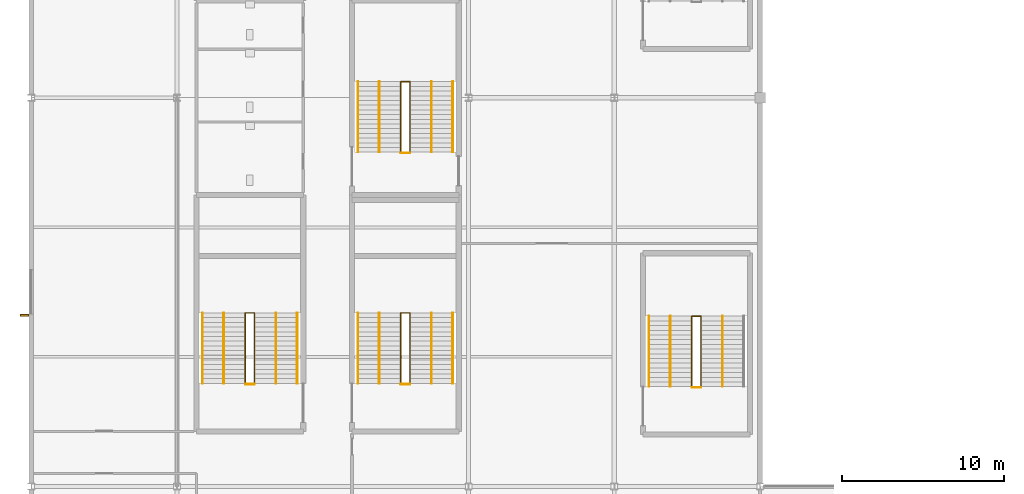
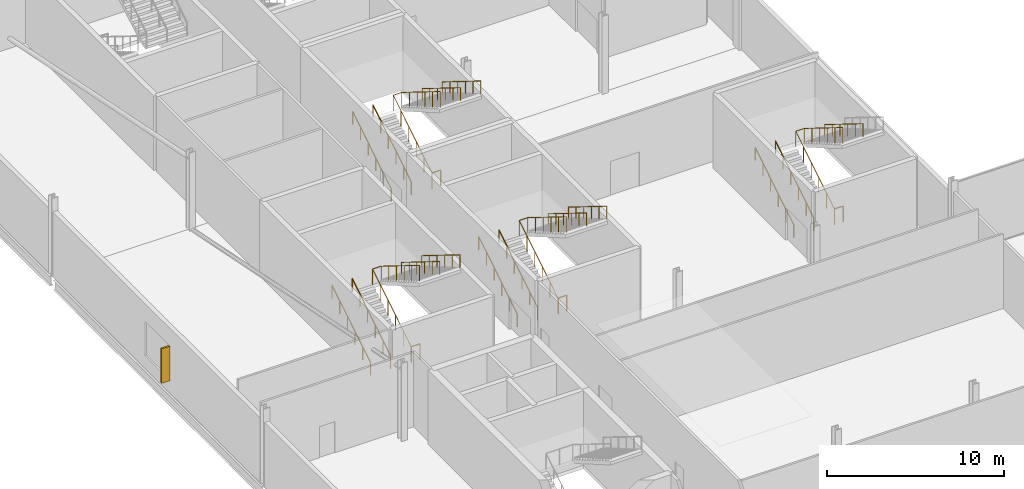
# One storey, part 98 of 111: 23 railings, 1 shading device.
"""IFC4 building model written with IfcOpenShell, lengths in metres."""

from ifc_helpers import new_model, si_unit, direction, frame, origin, origin_2d, place, context, subcontext, project, spatial, rectangle, circle, extrude, material, type_object, element, save


model = new_model("IFC4")

# Units and contexts
model_context = context("Model", 3, precision=1e-05, world=origin(), true_north=direction((0.0, 1.0)))
body_context = subcontext(model_context, "Body", "Model", "MODEL_VIEW")
ifc_project = project(units=[si_unit("LENGTHUNIT", "METRE"), si_unit("AREAUNIT", "SQUARE_METRE"), si_unit("VOLUMEUNIT", "CUBIC_METRE"), si_unit("PLANEANGLEUNIT", "RADIAN"), si_unit("MASSUNIT", "GRAM", prefix="KILO")], contexts=[model_context])

# Site, building, storey
site_placement = place(None, origin())
site = spatial("IfcSite", under=ifc_project, at=site_placement, CompositionType="ELEMENT")
building_placement = place(site_placement, origin())
building = spatial("IfcBuilding", under=site, at=building_placement, Name="Kisiwana Market Hall", CompositionType="ELEMENT")
storey_placement = place(building_placement, frame((0.0, 0.0, 11.39990234375)))
storey = spatial("IfcBuildingStorey", under=building, at=storey_placement, Name="L02", CompositionType="ELEMENT", Elevation=11.39990234375)

# Railings
ifc_material_1 = material(Name="Steel S275", Category="steel")
railing_type_1 = type_object("IfcRailingType", Name="RL-GUARD-1100", PredefinedType="GUARDRAIL", material=ifc_material_1)
railing_1_placement = place(storey_placement, frame((13.219970703125, 42.360107421875, 0.0)))
element("IfcRailing", 1, at=railing_1_placement, inside=storey, type_object=railing_type_1, Name="Stair ST-W3-L02 inner-well guardrail (RL-507)", PredefinedType="GUARDRAIL", context=body_context, shape_type="SweptSolid", body=[
    extrude(circle(Radius=0.02392578125, at=origin_2d()), frame((0.0, 0.0, 1.076171875), z_axis=(0.0, 0.849615114927, 0.52740322002), x_axis=(-1.0, 0.0, 0.0)), (0.0, 0.0, 1.0), 5.119873046875),
    extrude(circle(Radius=0.02392578125, at=origin_2d()), frame((0.0, 4.349853515625, 3.7763671875), z_axis=(1.0, 0.0, 0.0), x_axis=(0.0, 1.0, 0.0)), (0.0, 0.0, 1.0), 0.56005859375),
    extrude(circle(Radius=0.02392578125, at=origin_2d()), frame((0.56005859375, 4.349853515625, 3.7763671875), z_axis=(0.0, -0.849636482215, 0.527368797038), x_axis=(1.0, 0.0, 0.0)), (0.0, 0.0, 1.0), 5.11962890625),
    extrude(circle(Radius=0.02099609375, at=origin_2d()), origin(), (0.0, 0.0, 1.0), 1.052001953125),
    extrude(circle(Radius=0.02099609375, at=origin_2d()), frame((0.0, 0.869873046875, 0.5400390625)), (0.0, 0.0, 1.0), 1.052001953125),
    extrude(circle(Radius=0.02099609375, at=origin_2d()), frame((0.0, 1.739990234375, 1.080078125)), (0.0, 0.0, 1.0), 1.052001953125),
    extrude(circle(Radius=0.02099609375, at=origin_2d()), frame((0.0, 2.60986328125, 1.6201171875)), (0.0, 0.0, 1.0), 1.052001953125),
    extrude(circle(Radius=0.02099609375, at=origin_2d()), frame((0.0, 3.47998046875, 2.16015625)), (0.0, 0.0, 1.0), 1.052001953125),
    extrude(circle(Radius=0.02099609375, at=origin_2d()), frame((0.0, 4.349853515625, 2.7001953125)), (0.0, 0.0, 1.0), 1.052001953125),
    extrude(circle(Radius=0.02099609375, at=origin_2d()), frame((0.56005859375, 4.349853515625, 2.7001953125)), (0.0, 0.0, 1.0), 1.052001953125),
    extrude(circle(Radius=0.02099609375, at=origin_2d()), frame((0.56005859375, 3.47998046875, 3.240234375)), (0.0, 0.0, 1.0), 1.052001953125),
    extrude(circle(Radius=0.02099609375, at=origin_2d()), frame((0.56005859375, 2.60986328125, 3.7802734375)), (0.0, 0.0, 1.0), 1.052001953125),
    extrude(circle(Radius=0.02099609375, at=origin_2d()), frame((0.56005859375, 1.739990234375, 4.320068359375)), (0.0, 0.0, 1.0), 1.052001953125),
    extrude(circle(Radius=0.02099609375, at=origin_2d()), frame((0.56005859375, 0.869873046875, 4.860107421875)), (0.0, 0.0, 1.0), 1.052001953125),
    extrude(circle(Radius=0.02099609375, at=origin_2d()), frame((0.56005859375, 0.0, 5.400146484375)), (0.0, 0.0, 1.0), 1.052001953125),
])
railing_2_placement = place(storey_placement, frame((13.219970703125, 42.31005859375, 0.0)))
element("IfcRailing", 2, at=railing_2_placement, inside=storey, type_object=railing_type_1, Name="Stair ST-W3-L02 landing edge guardrail (RL-512)", PredefinedType="GUARDRAIL", context=body_context, shape_type="SweptSolid", body=[
    extrude(circle(Radius=0.02392578125, at=origin_2d()), frame((0.0, 0.0, 1.076171875), z_axis=(1.0, 0.0, 0.0), x_axis=(0.0, 1.0, 0.0)), (0.0, 0.0, 1.0), 0.56005859375),
    extrude(circle(Radius=0.02099609375, at=origin_2d()), origin(), (0.0, 0.0, 1.0), 1.052001953125),
    extrude(circle(Radius=0.02099609375, at=origin_2d()), frame((0.56005859375, 0.0, 0.0)), (0.0, 0.0, 1.0), 1.052001953125),
])
railing_3_placement = place(storey_placement, frame((22.820068359375, 42.360107421875, 0.0)))
element("IfcRailing", 3, at=railing_3_placement, inside=storey, type_object=railing_type_1, Name="Stair ST-W7-L02 inner-well guardrail (RL-531)", PredefinedType="GUARDRAIL", context=body_context, shape_type="SweptSolid", body=[
    extrude(circle(Radius=0.02392578125, at=origin_2d()), frame((0.0, 0.0, 1.076171875), z_axis=(0.0, 0.849615114927, 0.52740322002), x_axis=(-1.0, 0.0, 0.0)), (0.0, 0.0, 1.0), 5.119873046875),
    extrude(circle(Radius=0.02392578125, at=origin_2d()), frame((0.0, 4.349853515625, 3.7763671875), z_axis=(1.0, 0.0, 0.0), x_axis=(0.0, 1.0, 0.0)), (0.0, 0.0, 1.0), 0.559814453125),
    extrude(circle(Radius=0.02392578125, at=origin_2d()), frame((0.559814453125, 4.349853515625, 3.7763671875), z_axis=(0.0, -0.849636482215, 0.527368797038), x_axis=(1.0, 0.0, 0.0)), (0.0, 0.0, 1.0), 5.11962890625),
    extrude(circle(Radius=0.02099609375, at=origin_2d()), origin(), (0.0, 0.0, 1.0), 1.052001953125),
    extrude(circle(Radius=0.02099609375, at=origin_2d()), frame((0.0, 0.869873046875, 0.5400390625)), (0.0, 0.0, 1.0), 1.052001953125),
    extrude(circle(Radius=0.02099609375, at=origin_2d()), frame((0.0, 1.739990234375, 1.080078125)), (0.0, 0.0, 1.0), 1.052001953125),
    extrude(circle(Radius=0.02099609375, at=origin_2d()), frame((0.0, 2.60986328125, 1.6201171875)), (0.0, 0.0, 1.0), 1.052001953125),
    extrude(circle(Radius=0.02099609375, at=origin_2d()), frame((0.0, 3.47998046875, 2.16015625)), (0.0, 0.0, 1.0), 1.052001953125),
    extrude(circle(Radius=0.02099609375, at=origin_2d()), frame((0.0, 4.349853515625, 2.7001953125)), (0.0, 0.0, 1.0), 1.052001953125),
    extrude(circle(Radius=0.02099609375, at=origin_2d()), frame((0.559814453125, 4.349853515625, 2.7001953125)), (0.0, 0.0, 1.0), 1.052001953125),
    extrude(circle(Radius=0.02099609375, at=origin_2d()), frame((0.559814453125, 3.47998046875, 3.240234375)), (0.0, 0.0, 1.0), 1.052001953125),
    extrude(circle(Radius=0.02099609375, at=origin_2d()), frame((0.559814453125, 2.60986328125, 3.7802734375)), (0.0, 0.0, 1.0), 1.052001953125),
    extrude(circle(Radius=0.02099609375, at=origin_2d()), frame((0.559814453125, 1.739990234375, 4.320068359375)), (0.0, 0.0, 1.0), 1.052001953125),
    extrude(circle(Radius=0.02099609375, at=origin_2d()), frame((0.559814453125, 0.869873046875, 4.860107421875)), (0.0, 0.0, 1.0), 1.052001953125),
    extrude(circle(Radius=0.02099609375, at=origin_2d()), frame((0.559814453125, 0.0, 5.400146484375)), (0.0, 0.0, 1.0), 1.052001953125),
])
railing_4_placement = place(storey_placement, frame((22.820068359375, 42.31005859375, 0.0)))
element("IfcRailing", 4, at=railing_4_placement, inside=storey, type_object=railing_type_1, Name="Stair ST-W7-L02 landing edge guardrail (RL-536)", PredefinedType="GUARDRAIL", context=body_context, shape_type="SweptSolid", body=[
    extrude(circle(Radius=0.02392578125, at=origin_2d()), frame((0.0, 0.0, 1.076171875), z_axis=(1.0, 0.0, 0.0), x_axis=(0.0, 1.0, 0.0)), (0.0, 0.0, 1.0), 0.559814453125),
    extrude(circle(Radius=0.02099609375, at=origin_2d()), origin(), (0.0, 0.0, 1.0), 1.052001953125),
    extrude(circle(Radius=0.02099609375, at=origin_2d()), frame((0.559814453125, 0.0, 0.0)), (0.0, 0.0, 1.0), 1.052001953125),
])
railing_5_placement = place(storey_placement, frame((40.7900390625, 42.159912109375, 0.0)))
element("IfcRailing", 5, at=railing_5_placement, inside=storey, type_object=railing_type_1, Name="Stair ST-W9-L02 inner-well guardrail (RL-555)", PredefinedType="GUARDRAIL", context=body_context, shape_type="SweptSolid", body=[
    extrude(circle(Radius=0.02392578125, at=origin_2d()), frame((0.0, 0.0, 1.076171875), z_axis=(0.0, 0.849628378081, 0.527381853271), x_axis=(-1.0, 0.0, 0.0)), (0.0, 0.0, 1.0), 5.1201171875),
    extrude(circle(Radius=0.02392578125, at=origin_2d()), frame((0.0, 4.35009765625, 3.7763671875), z_axis=(1.0, 0.0, 0.0), x_axis=(0.0, 1.0, 0.0)), (0.0, 0.0, 1.0), 0.56005859375),
    extrude(circle(Radius=0.02392578125, at=origin_2d()), frame((0.56005859375, 4.35009765625, 3.7763671875), z_axis=(0.0, -0.849649743971, 0.527347430608), x_axis=(1.0, 0.0, 0.0)), (0.0, 0.0, 1.0), 5.119873046875),
    extrude(circle(Radius=0.02099609375, at=origin_2d()), origin(), (0.0, 0.0, 1.0), 1.052001953125),
    extrude(circle(Radius=0.02099609375, at=origin_2d()), frame((0.0, 0.8701171875, 0.5400390625)), (0.0, 0.0, 1.0), 1.052001953125),
    extrude(circle(Radius=0.02099609375, at=origin_2d()), frame((0.0, 1.739990234375, 1.080078125)), (0.0, 0.0, 1.0), 1.052001953125),
    extrude(circle(Radius=0.02099609375, at=origin_2d()), frame((0.0, 2.610107421875, 1.6201171875)), (0.0, 0.0, 1.0), 1.052001953125),
    extrude(circle(Radius=0.02099609375, at=origin_2d()), frame((0.0, 3.47998046875, 2.16015625)), (0.0, 0.0, 1.0), 1.052001953125),
    extrude(circle(Radius=0.02099609375, at=origin_2d()), frame((0.0, 4.35009765625, 2.7001953125)), (0.0, 0.0, 1.0), 1.052001953125),
    extrude(circle(Radius=0.02099609375, at=origin_2d()), frame((0.56005859375, 4.35009765625, 2.7001953125)), (0.0, 0.0, 1.0), 1.052001953125),
    extrude(circle(Radius=0.02099609375, at=origin_2d()), frame((0.56005859375, 3.47998046875, 3.240234375)), (0.0, 0.0, 1.0), 1.052001953125),
    extrude(circle(Radius=0.02099609375, at=origin_2d()), frame((0.56005859375, 2.610107421875, 3.7802734375)), (0.0, 0.0, 1.0), 1.052001953125),
    extrude(circle(Radius=0.02099609375, at=origin_2d()), frame((0.56005859375, 1.739990234375, 4.320068359375)), (0.0, 0.0, 1.0), 1.052001953125),
    extrude(circle(Radius=0.02099609375, at=origin_2d()), frame((0.56005859375, 0.8701171875, 4.860107421875)), (0.0, 0.0, 1.0), 1.052001953125),
    extrude(circle(Radius=0.02099609375, at=origin_2d()), frame((0.56005859375, 0.0, 5.400146484375)), (0.0, 0.0, 1.0), 1.052001953125),
])
railing_6_placement = place(storey_placement, frame((40.7900390625, 42.110107421875, 0.0)))
element("IfcRailing", 6, at=railing_6_placement, inside=storey, type_object=railing_type_1, Name="Stair ST-W9-L02 landing edge guardrail (RL-560)", PredefinedType="GUARDRAIL", context=body_context, shape_type="SweptSolid", body=[
    extrude(circle(Radius=0.02392578125, at=origin_2d()), frame((0.0, 0.0, 1.076171875), z_axis=(1.0, 0.0, 0.0), x_axis=(0.0, 1.0, 0.0)), (0.0, 0.0, 1.0), 0.56005859375),
    extrude(circle(Radius=0.02099609375, at=origin_2d()), origin(), (0.0, 0.0, 1.0), 1.052001953125),
    extrude(circle(Radius=0.02099609375, at=origin_2d()), frame((0.56005859375, 0.0, 0.0)), (0.0, 0.0, 1.0), 1.052001953125),
])
railing_7_placement = place(storey_placement, frame((22.820068359375, 56.639892578125, 0.0)))
element("IfcRailing", 7, at=railing_7_placement, inside=storey, type_object=railing_type_1, Name="Stair ST-W5-L02 inner-well guardrail (RL-579)", PredefinedType="GUARDRAIL", context=body_context, shape_type="SweptSolid", body=[
    extrude(circle(Radius=0.02392578125, at=origin_2d()), frame((0.0, 0.0, 1.076171875), z_axis=(0.0, 0.849628378081, 0.527381853271), x_axis=(-1.0, 0.0, 0.0)), (0.0, 0.0, 1.0), 5.1201171875),
    extrude(circle(Radius=0.02392578125, at=origin_2d()), frame((0.0, 4.35009765625, 3.7763671875), z_axis=(1.0, 0.0, 0.0), x_axis=(0.0, 1.0, 0.0)), (0.0, 0.0, 1.0), 0.559814453125),
    extrude(circle(Radius=0.02392578125, at=origin_2d()), frame((0.559814453125, 4.35009765625, 3.7763671875), z_axis=(0.0, -0.849649743971, 0.527347430608), x_axis=(1.0, 0.0, 0.0)), (0.0, 0.0, 1.0), 5.119873046875),
    extrude(circle(Radius=0.02099609375, at=origin_2d()), origin(), (0.0, 0.0, 1.0), 1.052001953125),
    extrude(circle(Radius=0.02099609375, at=origin_2d()), frame((0.0, 0.8701171875, 0.5400390625)), (0.0, 0.0, 1.0), 1.052001953125),
    extrude(circle(Radius=0.02099609375, at=origin_2d()), frame((0.0, 1.739990234375, 1.080078125)), (0.0, 0.0, 1.0), 1.052001953125),
    extrude(circle(Radius=0.02099609375, at=origin_2d()), frame((0.0, 2.610107421875, 1.6201171875)), (0.0, 0.0, 1.0), 1.052001953125),
    extrude(circle(Radius=0.02099609375, at=origin_2d()), frame((0.0, 3.47998046875, 2.16015625)), (0.0, 0.0, 1.0), 1.052001953125),
    extrude(circle(Radius=0.02099609375, at=origin_2d()), frame((0.0, 4.35009765625, 2.7001953125)), (0.0, 0.0, 1.0), 1.052001953125),
    extrude(circle(Radius=0.02099609375, at=origin_2d()), frame((0.559814453125, 4.35009765625, 2.7001953125)), (0.0, 0.0, 1.0), 1.052001953125),
    extrude(circle(Radius=0.02099609375, at=origin_2d()), frame((0.559814453125, 3.47998046875, 3.240234375)), (0.0, 0.0, 1.0), 1.052001953125),
    extrude(circle(Radius=0.02099609375, at=origin_2d()), frame((0.559814453125, 2.610107421875, 3.7802734375)), (0.0, 0.0, 1.0), 1.052001953125),
    extrude(circle(Radius=0.02099609375, at=origin_2d()), frame((0.559814453125, 1.739990234375, 4.320068359375)), (0.0, 0.0, 1.0), 1.052001953125),
    extrude(circle(Radius=0.02099609375, at=origin_2d()), frame((0.559814453125, 0.8701171875, 4.860107421875)), (0.0, 0.0, 1.0), 1.052001953125),
    extrude(circle(Radius=0.02099609375, at=origin_2d()), frame((0.559814453125, 0.0, 5.400146484375)), (0.0, 0.0, 1.0), 1.052001953125),
])
railing_8_placement = place(storey_placement, frame((22.820068359375, 56.590087890625, 0.0)))
element("IfcRailing", 8, at=railing_8_placement, inside=storey, type_object=railing_type_1, Name="Stair ST-W5-L02 landing edge guardrail (RL-584)", PredefinedType="GUARDRAIL", context=body_context, shape_type="SweptSolid", body=[
    extrude(circle(Radius=0.02392578125, at=origin_2d()), frame((0.0, 0.0, 1.076171875), z_axis=(1.0, 0.0, 0.0), x_axis=(0.0, 1.0, 0.0)), (0.0, 0.0, 1.0), 0.559814453125),
    extrude(circle(Radius=0.02099609375, at=origin_2d()), origin(), (0.0, 0.0, 1.0), 1.052001953125),
    extrude(circle(Radius=0.02099609375, at=origin_2d()), frame((0.559814453125, 0.0, 0.0)), (0.0, 0.0, 1.0), 1.052001953125),
])
ifc_material_2 = material(Name="Steel S275", Category="steel")
railing_type_2 = type_object("IfcRailingType", Name="RL-HAND-900", PredefinedType="HANDRAIL", material=ifc_material_2)
railing_9_placement = place(storey_placement, frame((10.570068359375, 42.360107421875, 0.0)))
element("IfcRailing", 9, at=railing_9_placement, inside=storey, type_object=railing_type_2, Name="Stair ST-W3-L02 flight 1 handrail (RL-508)", PredefinedType="HANDRAIL", context=body_context, shape_type="SweptSolid", body=[
    extrude(circle(Radius=0.02392578125, at=origin_2d()), frame((0.0, 0.0, 0.8759765625), z_axis=(0.0, 0.849615114927, 0.52740322002), x_axis=(-1.0, 0.0, 0.0)), (0.0, 0.0, 1.0), 5.119873046875),
    extrude(circle(Radius=0.02099609375, at=origin_2d()), origin(), (0.0, 0.0, 1.0), 0.851806640625),
    extrude(circle(Radius=0.02099609375, at=origin_2d()), frame((0.0, 0.869873046875, 0.5400390625)), (0.0, 0.0, 1.0), 0.851806640625),
    extrude(circle(Radius=0.02099609375, at=origin_2d()), frame((0.0, 1.739990234375, 1.080078125)), (0.0, 0.0, 1.0), 0.851806640625),
    extrude(circle(Radius=0.02099609375, at=origin_2d()), frame((0.0, 2.60986328125, 1.6201171875)), (0.0, 0.0, 1.0), 0.851806640625),
    extrude(circle(Radius=0.02099609375, at=origin_2d()), frame((0.0, 3.47998046875, 2.16015625)), (0.0, 0.0, 1.0), 0.851806640625),
    extrude(circle(Radius=0.02099609375, at=origin_2d()), frame((0.0, 4.349853515625, 2.7001953125)), (0.0, 0.0, 1.0), 0.851806640625),
])
railing_10_placement = place(storey_placement, frame((16.429931640625, 46.7099609375, 2.7001953125)))
element("IfcRailing", 10, at=railing_10_placement, inside=storey, type_object=railing_type_2, Name="Stair ST-W3-L02 flight 2 handrail (RL-509)", PredefinedType="HANDRAIL", context=body_context, shape_type="SweptSolid", body=[
    extrude(circle(Radius=0.02392578125, at=origin_2d()), frame((0.0, 0.0, 0.8759765625), z_axis=(0.0, -0.849636482215, 0.527368797038), x_axis=(1.0, 0.0, 0.0)), (0.0, 0.0, 1.0), 5.11962890625),
    extrude(circle(Radius=0.02099609375, at=origin_2d()), origin(), (0.0, 0.0, 1.0), 0.851806640625),
    extrude(circle(Radius=0.02099609375, at=origin_2d()), frame((0.0, -0.869873046875, 0.5400390625)), (0.0, 0.0, 1.0), 0.851806640625),
    extrude(circle(Radius=0.02099609375, at=origin_2d()), frame((0.0, -1.739990234375, 1.080078125)), (0.0, 0.0, 1.0), 0.851806640625),
    extrude(circle(Radius=0.02099609375, at=origin_2d()), frame((0.0, -2.60986328125, 1.619873046875)), (0.0, 0.0, 1.0), 0.851806640625),
    extrude(circle(Radius=0.02099609375, at=origin_2d()), frame((0.0, -3.47998046875, 2.159912109375)), (0.0, 0.0, 1.0), 0.851806640625),
    extrude(circle(Radius=0.02099609375, at=origin_2d()), frame((0.0, -4.349853515625, 2.699951171875)), (0.0, 0.0, 1.0), 0.851806640625),
])
railing_11_placement = place(storey_placement, frame((11.889892578125, 42.360107421875, 0.0)))
element("IfcRailing", 11, at=railing_11_placement, inside=storey, type_object=railing_type_2, Name="Stair ST-W3-L02 flight 1 intermediate handrail (RL-510)", PredefinedType="HANDRAIL", context=body_context, shape_type="SweptSolid", body=[
    extrude(circle(Radius=0.02392578125, at=origin_2d()), frame((0.0, 0.0, 0.8759765625), z_axis=(0.0, 0.849615114927, 0.52740322002), x_axis=(-1.0, 0.0, 0.0)), (0.0, 0.0, 1.0), 5.119873046875),
    extrude(circle(Radius=0.02099609375, at=origin_2d()), origin(), (0.0, 0.0, 1.0), 0.851806640625),
    extrude(circle(Radius=0.02099609375, at=origin_2d()), frame((0.0, 0.869873046875, 0.5400390625)), (0.0, 0.0, 1.0), 0.851806640625),
    extrude(circle(Radius=0.02099609375, at=origin_2d()), frame((0.0, 1.739990234375, 1.080078125)), (0.0, 0.0, 1.0), 0.851806640625),
    extrude(circle(Radius=0.02099609375, at=origin_2d()), frame((0.0, 2.60986328125, 1.6201171875)), (0.0, 0.0, 1.0), 0.851806640625),
    extrude(circle(Radius=0.02099609375, at=origin_2d()), frame((0.0, 3.47998046875, 2.16015625)), (0.0, 0.0, 1.0), 0.851806640625),
    extrude(circle(Radius=0.02099609375, at=origin_2d()), frame((0.0, 4.349853515625, 2.7001953125)), (0.0, 0.0, 1.0), 0.851806640625),
])
railing_12_placement = place(storey_placement, frame((15.110107421875, 46.7099609375, 2.7001953125)))
element("IfcRailing", 12, at=railing_12_placement, inside=storey, type_object=railing_type_2, Name="Stair ST-W3-L02 flight 2 intermediate handrail (RL-511)", PredefinedType="HANDRAIL", context=body_context, shape_type="SweptSolid", body=[
    extrude(circle(Radius=0.02392578125, at=origin_2d()), frame((0.0, 0.0, 0.8759765625), z_axis=(0.0, -0.849636482215, 0.527368797038), x_axis=(1.0, 0.0, 0.0)), (0.0, 0.0, 1.0), 5.11962890625),
    extrude(circle(Radius=0.02099609375, at=origin_2d()), origin(), (0.0, 0.0, 1.0), 0.851806640625),
    extrude(circle(Radius=0.02099609375, at=origin_2d()), frame((0.0, -0.869873046875, 0.5400390625)), (0.0, 0.0, 1.0), 0.851806640625),
    extrude(circle(Radius=0.02099609375, at=origin_2d()), frame((0.0, -1.739990234375, 1.080078125)), (0.0, 0.0, 1.0), 0.851806640625),
    extrude(circle(Radius=0.02099609375, at=origin_2d()), frame((0.0, -2.60986328125, 1.619873046875)), (0.0, 0.0, 1.0), 0.851806640625),
    extrude(circle(Radius=0.02099609375, at=origin_2d()), frame((0.0, -3.47998046875, 2.159912109375)), (0.0, 0.0, 1.0), 0.851806640625),
    extrude(circle(Radius=0.02099609375, at=origin_2d()), frame((0.0, -4.349853515625, 2.699951171875)), (0.0, 0.0, 1.0), 0.851806640625),
])
railing_13_placement = place(storey_placement, frame((20.169921875, 42.360107421875, 0.0)))
element("IfcRailing", 13, at=railing_13_placement, inside=storey, type_object=railing_type_2, Name="Stair ST-W7-L02 flight 1 handrail (RL-532)", PredefinedType="HANDRAIL", context=body_context, shape_type="SweptSolid", body=[
    extrude(circle(Radius=0.02392578125, at=origin_2d()), frame((0.0, 0.0, 0.8759765625), z_axis=(0.0, 0.849615114927, 0.52740322002), x_axis=(-1.0, 0.0, 0.0)), (0.0, 0.0, 1.0), 5.119873046875),
    extrude(circle(Radius=0.02099609375, at=origin_2d()), origin(), (0.0, 0.0, 1.0), 0.851806640625),
    extrude(circle(Radius=0.02099609375, at=origin_2d()), frame((0.0, 0.869873046875, 0.5400390625)), (0.0, 0.0, 1.0), 0.851806640625),
    extrude(circle(Radius=0.02099609375, at=origin_2d()), frame((0.0, 1.739990234375, 1.080078125)), (0.0, 0.0, 1.0), 0.851806640625),
    extrude(circle(Radius=0.02099609375, at=origin_2d()), frame((0.0, 2.60986328125, 1.6201171875)), (0.0, 0.0, 1.0), 0.851806640625),
    extrude(circle(Radius=0.02099609375, at=origin_2d()), frame((0.0, 3.47998046875, 2.16015625)), (0.0, 0.0, 1.0), 0.851806640625),
    extrude(circle(Radius=0.02099609375, at=origin_2d()), frame((0.0, 4.349853515625, 2.7001953125)), (0.0, 0.0, 1.0), 0.851806640625),
])
railing_14_placement = place(storey_placement, frame((26.030029296875, 46.7099609375, 2.7001953125)))
element("IfcRailing", 14, at=railing_14_placement, inside=storey, type_object=railing_type_2, Name="Stair ST-W7-L02 flight 2 handrail (RL-533)", PredefinedType="HANDRAIL", context=body_context, shape_type="SweptSolid", body=[
    extrude(circle(Radius=0.02392578125, at=origin_2d()), frame((0.0, 0.0, 0.8759765625), z_axis=(0.0, -0.849636482215, 0.527368797038), x_axis=(1.0, 0.0, 0.0)), (0.0, 0.0, 1.0), 5.11962890625),
    extrude(circle(Radius=0.02099609375, at=origin_2d()), origin(), (0.0, 0.0, 1.0), 0.851806640625),
    extrude(circle(Radius=0.02099609375, at=origin_2d()), frame((0.0, -0.869873046875, 0.5400390625)), (0.0, 0.0, 1.0), 0.851806640625),
    extrude(circle(Radius=0.02099609375, at=origin_2d()), frame((0.0, -1.739990234375, 1.080078125)), (0.0, 0.0, 1.0), 0.851806640625),
    extrude(circle(Radius=0.02099609375, at=origin_2d()), frame((0.0, -2.60986328125, 1.619873046875)), (0.0, 0.0, 1.0), 0.851806640625),
    extrude(circle(Radius=0.02099609375, at=origin_2d()), frame((0.0, -3.47998046875, 2.159912109375)), (0.0, 0.0, 1.0), 0.851806640625),
    extrude(circle(Radius=0.02099609375, at=origin_2d()), frame((0.0, -4.349853515625, 2.699951171875)), (0.0, 0.0, 1.0), 0.851806640625),
])
railing_15_placement = place(storey_placement, frame((21.489990234375, 42.360107421875, 0.0)))
element("IfcRailing", 15, at=railing_15_placement, inside=storey, type_object=railing_type_2, Name="Stair ST-W7-L02 flight 1 intermediate handrail (RL-534)", PredefinedType="HANDRAIL", context=body_context, shape_type="SweptSolid", body=[
    extrude(circle(Radius=0.02392578125, at=origin_2d()), frame((0.0, 0.0, 0.8759765625), z_axis=(0.0, 0.849615114927, 0.52740322002), x_axis=(-1.0, 0.0, 0.0)), (0.0, 0.0, 1.0), 5.119873046875),
    extrude(circle(Radius=0.02099609375, at=origin_2d()), origin(), (0.0, 0.0, 1.0), 0.851806640625),
    extrude(circle(Radius=0.02099609375, at=origin_2d()), frame((0.0, 0.869873046875, 0.5400390625)), (0.0, 0.0, 1.0), 0.851806640625),
    extrude(circle(Radius=0.02099609375, at=origin_2d()), frame((0.0, 1.739990234375, 1.080078125)), (0.0, 0.0, 1.0), 0.851806640625),
    extrude(circle(Radius=0.02099609375, at=origin_2d()), frame((0.0, 2.60986328125, 1.6201171875)), (0.0, 0.0, 1.0), 0.851806640625),
    extrude(circle(Radius=0.02099609375, at=origin_2d()), frame((0.0, 3.47998046875, 2.16015625)), (0.0, 0.0, 1.0), 0.851806640625),
    extrude(circle(Radius=0.02099609375, at=origin_2d()), frame((0.0, 4.349853515625, 2.7001953125)), (0.0, 0.0, 1.0), 0.851806640625),
])
railing_16_placement = place(storey_placement, frame((24.7099609375, 46.7099609375, 2.7001953125)))
element("IfcRailing", 16, at=railing_16_placement, inside=storey, type_object=railing_type_2, Name="Stair ST-W7-L02 flight 2 intermediate handrail (RL-535)", PredefinedType="HANDRAIL", context=body_context, shape_type="SweptSolid", body=[
    extrude(circle(Radius=0.02392578125, at=origin_2d()), frame((0.0, 0.0, 0.8759765625), z_axis=(0.0, -0.849636482215, 0.527368797038), x_axis=(1.0, 0.0, 0.0)), (0.0, 0.0, 1.0), 5.11962890625),
    extrude(circle(Radius=0.02099609375, at=origin_2d()), origin(), (0.0, 0.0, 1.0), 0.851806640625),
    extrude(circle(Radius=0.02099609375, at=origin_2d()), frame((0.0, -0.869873046875, 0.5400390625)), (0.0, 0.0, 1.0), 0.851806640625),
    extrude(circle(Radius=0.02099609375, at=origin_2d()), frame((0.0, -1.739990234375, 1.080078125)), (0.0, 0.0, 1.0), 0.851806640625),
    extrude(circle(Radius=0.02099609375, at=origin_2d()), frame((0.0, -2.60986328125, 1.619873046875)), (0.0, 0.0, 1.0), 0.851806640625),
    extrude(circle(Radius=0.02099609375, at=origin_2d()), frame((0.0, -3.47998046875, 2.159912109375)), (0.0, 0.0, 1.0), 0.851806640625),
    extrude(circle(Radius=0.02099609375, at=origin_2d()), frame((0.0, -4.349853515625, 2.699951171875)), (0.0, 0.0, 1.0), 0.851806640625),
])
for number, where, name in (
    (17, (38.139892578125, 42.159912109375, 0.0), "Stair ST-W9-L02 flight 1 handrail (RL-556)"),
    (18, (39.4599609375, 42.159912109375, 0.0), "Stair ST-W9-L02 flight 1 intermediate handrail (RL-558)"),
):
    element("IfcRailing", number, at=place(storey_placement, frame(where)), inside=storey, type_object=railing_type_2, Name=name, PredefinedType="HANDRAIL", context=body_context, shape_type="SweptSolid", body=[
        extrude(circle(Radius=0.02392578125, at=origin_2d()), frame((0.0, 0.0, 0.8759765625), z_axis=(0.0, 0.849628378081, 0.527381853271), x_axis=(-1.0, 0.0, 0.0)), (0.0, 0.0, 1.0), 5.1201171875),
        extrude(circle(Radius=0.02099609375, at=origin_2d()), origin(), (0.0, 0.0, 1.0), 0.851806640625),
        extrude(circle(Radius=0.02099609375, at=origin_2d()), frame((0.0, 0.8701171875, 0.5400390625)), (0.0, 0.0, 1.0), 0.851806640625),
        extrude(circle(Radius=0.02099609375, at=origin_2d()), frame((0.0, 1.739990234375, 1.080078125)), (0.0, 0.0, 1.0), 0.851806640625),
        extrude(circle(Radius=0.02099609375, at=origin_2d()), frame((0.0, 2.610107421875, 1.6201171875)), (0.0, 0.0, 1.0), 0.851806640625),
        extrude(circle(Radius=0.02099609375, at=origin_2d()), frame((0.0, 3.47998046875, 2.16015625)), (0.0, 0.0, 1.0), 0.851806640625),
        extrude(circle(Radius=0.02099609375, at=origin_2d()), frame((0.0, 4.35009765625, 2.7001953125)), (0.0, 0.0, 1.0), 0.851806640625),
    ])
railing_17_placement = place(storey_placement, frame((42.679931640625, 46.510009765625, 2.7001953125)))
element("IfcRailing", 19, at=railing_17_placement, inside=storey, type_object=railing_type_2, Name="Stair ST-W9-L02 flight 2 intermediate handrail (RL-559)", PredefinedType="HANDRAIL", context=body_context, shape_type="SweptSolid", body=[
    extrude(circle(Radius=0.02392578125, at=origin_2d()), frame((0.0, 0.0, 0.8759765625), z_axis=(0.0, -0.849649743971, 0.527347430608), x_axis=(1.0, 0.0, 0.0)), (0.0, 0.0, 1.0), 5.119873046875),
    extrude(circle(Radius=0.02099609375, at=origin_2d()), origin(), (0.0, 0.0, 1.0), 0.851806640625),
    extrude(circle(Radius=0.02099609375, at=origin_2d()), frame((0.0, -0.8701171875, 0.5400390625)), (0.0, 0.0, 1.0), 0.851806640625),
    extrude(circle(Radius=0.02099609375, at=origin_2d()), frame((0.0, -1.739990234375, 1.080078125)), (0.0, 0.0, 1.0), 0.851806640625),
    extrude(circle(Radius=0.02099609375, at=origin_2d()), frame((0.0, -2.610107421875, 1.619873046875)), (0.0, 0.0, 1.0), 0.851806640625),
    extrude(circle(Radius=0.02099609375, at=origin_2d()), frame((0.0, -3.47998046875, 2.159912109375)), (0.0, 0.0, 1.0), 0.851806640625),
    extrude(circle(Radius=0.02099609375, at=origin_2d()), frame((0.0, -4.35009765625, 2.699951171875)), (0.0, 0.0, 1.0), 0.851806640625),
])
railing_18_placement = place(storey_placement, frame((20.169921875, 56.639892578125, 0.0)))
element("IfcRailing", 20, at=railing_18_placement, inside=storey, type_object=railing_type_2, Name="Stair ST-W5-L02 flight 1 handrail (RL-580)", PredefinedType="HANDRAIL", context=body_context, shape_type="SweptSolid", body=[
    extrude(circle(Radius=0.02392578125, at=origin_2d()), frame((0.0, 0.0, 0.8759765625), z_axis=(0.0, 0.849628378081, 0.527381853271), x_axis=(-1.0, 0.0, 0.0)), (0.0, 0.0, 1.0), 5.1201171875),
    extrude(circle(Radius=0.02099609375, at=origin_2d()), origin(), (0.0, 0.0, 1.0), 0.851806640625),
    extrude(circle(Radius=0.02099609375, at=origin_2d()), frame((0.0, 0.8701171875, 0.5400390625)), (0.0, 0.0, 1.0), 0.851806640625),
    extrude(circle(Radius=0.02099609375, at=origin_2d()), frame((0.0, 1.739990234375, 1.080078125)), (0.0, 0.0, 1.0), 0.851806640625),
    extrude(circle(Radius=0.02099609375, at=origin_2d()), frame((0.0, 2.610107421875, 1.6201171875)), (0.0, 0.0, 1.0), 0.851806640625),
    extrude(circle(Radius=0.02099609375, at=origin_2d()), frame((0.0, 3.47998046875, 2.16015625)), (0.0, 0.0, 1.0), 0.851806640625),
    extrude(circle(Radius=0.02099609375, at=origin_2d()), frame((0.0, 4.35009765625, 2.7001953125)), (0.0, 0.0, 1.0), 0.851806640625),
])
railing_19_placement = place(storey_placement, frame((26.030029296875, 60.989990234375, 2.7001953125)))
element("IfcRailing", 21, at=railing_19_placement, inside=storey, type_object=railing_type_2, Name="Stair ST-W5-L02 flight 2 handrail (RL-581)", PredefinedType="HANDRAIL", context=body_context, shape_type="SweptSolid", body=[
    extrude(circle(Radius=0.02392578125, at=origin_2d()), frame((0.0, 0.0, 0.8759765625), z_axis=(0.0, -0.849649743971, 0.527347430608), x_axis=(1.0, 0.0, 0.0)), (0.0, 0.0, 1.0), 5.119873046875),
    extrude(circle(Radius=0.02099609375, at=origin_2d()), origin(), (0.0, 0.0, 1.0), 0.851806640625),
    extrude(circle(Radius=0.02099609375, at=origin_2d()), frame((0.0, -0.8701171875, 0.5400390625)), (0.0, 0.0, 1.0), 0.851806640625),
    extrude(circle(Radius=0.02099609375, at=origin_2d()), frame((0.0, -1.739990234375, 1.080078125)), (0.0, 0.0, 1.0), 0.851806640625),
    extrude(circle(Radius=0.02099609375, at=origin_2d()), frame((0.0, -2.610107421875, 1.619873046875)), (0.0, 0.0, 1.0), 0.851806640625),
    extrude(circle(Radius=0.02099609375, at=origin_2d()), frame((0.0, -3.47998046875, 2.159912109375)), (0.0, 0.0, 1.0), 0.851806640625),
    extrude(circle(Radius=0.02099609375, at=origin_2d()), frame((0.0, -4.35009765625, 2.699951171875)), (0.0, 0.0, 1.0), 0.851806640625),
])
railing_20_placement = place(storey_placement, frame((21.489990234375, 56.639892578125, 0.0)))
element("IfcRailing", 22, at=railing_20_placement, inside=storey, type_object=railing_type_2, Name="Stair ST-W5-L02 flight 1 intermediate handrail (RL-582)", PredefinedType="HANDRAIL", context=body_context, shape_type="SweptSolid", body=[
    extrude(circle(Radius=0.02392578125, at=origin_2d()), frame((0.0, 0.0, 0.8759765625), z_axis=(0.0, 0.849628378081, 0.527381853271), x_axis=(-1.0, 0.0, 0.0)), (0.0, 0.0, 1.0), 5.1201171875),
    extrude(circle(Radius=0.02099609375, at=origin_2d()), origin(), (0.0, 0.0, 1.0), 0.851806640625),
    extrude(circle(Radius=0.02099609375, at=origin_2d()), frame((0.0, 0.8701171875, 0.5400390625)), (0.0, 0.0, 1.0), 0.851806640625),
    extrude(circle(Radius=0.02099609375, at=origin_2d()), frame((0.0, 1.739990234375, 1.080078125)), (0.0, 0.0, 1.0), 0.851806640625),
    extrude(circle(Radius=0.02099609375, at=origin_2d()), frame((0.0, 2.610107421875, 1.6201171875)), (0.0, 0.0, 1.0), 0.851806640625),
    extrude(circle(Radius=0.02099609375, at=origin_2d()), frame((0.0, 3.47998046875, 2.16015625)), (0.0, 0.0, 1.0), 0.851806640625),
    extrude(circle(Radius=0.02099609375, at=origin_2d()), frame((0.0, 4.35009765625, 2.7001953125)), (0.0, 0.0, 1.0), 0.851806640625),
])
railing_21_placement = place(storey_placement, frame((24.7099609375, 60.989990234375, 2.7001953125)))
element("IfcRailing", 23, at=railing_21_placement, inside=storey, type_object=railing_type_2, Name="Stair ST-W5-L02 flight 2 intermediate handrail (RL-583)", PredefinedType="HANDRAIL", context=body_context, shape_type="SweptSolid", body=[
    extrude(circle(Radius=0.02392578125, at=origin_2d()), frame((0.0, 0.0, 0.8759765625), z_axis=(0.0, -0.849649743971, 0.527347430608), x_axis=(1.0, 0.0, 0.0)), (0.0, 0.0, 1.0), 5.119873046875),
    extrude(circle(Radius=0.02099609375, at=origin_2d()), origin(), (0.0, 0.0, 1.0), 0.851806640625),
    extrude(circle(Radius=0.02099609375, at=origin_2d()), frame((0.0, -0.8701171875, 0.5400390625)), (0.0, 0.0, 1.0), 0.851806640625),
    extrude(circle(Radius=0.02099609375, at=origin_2d()), frame((0.0, -1.739990234375, 1.080078125)), (0.0, 0.0, 1.0), 0.851806640625),
    extrude(circle(Radius=0.02099609375, at=origin_2d()), frame((0.0, -2.610107421875, 1.619873046875)), (0.0, 0.0, 1.0), 0.851806640625),
    extrude(circle(Radius=0.02099609375, at=origin_2d()), frame((0.0, -3.47998046875, 2.159912109375)), (0.0, 0.0, 1.0), 0.851806640625),
    extrude(circle(Radius=0.02099609375, at=origin_2d()), frame((0.0, -4.35009765625, 2.699951171875)), (0.0, 0.0, 1.0), 0.851806640625),
])

# Shading device
ifc_material_3 = material(Name="Aluminium alloy 6063-T6", Category="aluminium")
shading_device_type = type_object("IfcShadingDeviceType", Name="SHD-SHUTTER-V", PredefinedType="SHUTTER", material=ifc_material_3)
shading_device_placement = place(storey_placement, frame((-0.419921875, 46.570068359375, 0.85009765625), z_axis=(0.0, 0.0, 1.0), x_axis=(0.0, 1.0, 0.0)))
element("IfcShadingDevice", 24, at=shading_device_placement, inside=storey, type_object=shading_device_type, Name="Vertical solar fin SHD-058 SD-058", PredefinedType="SHUTTER", context=body_context, shape_type="SweptSolid", body=[
    extrude(rectangle(XDim=0.1201171875, YDim=0.550048828125, at=origin_2d()), origin(), (0.0, 0.0, 1.0), 2.39990234375),
])

save(model, "model.ifc")
